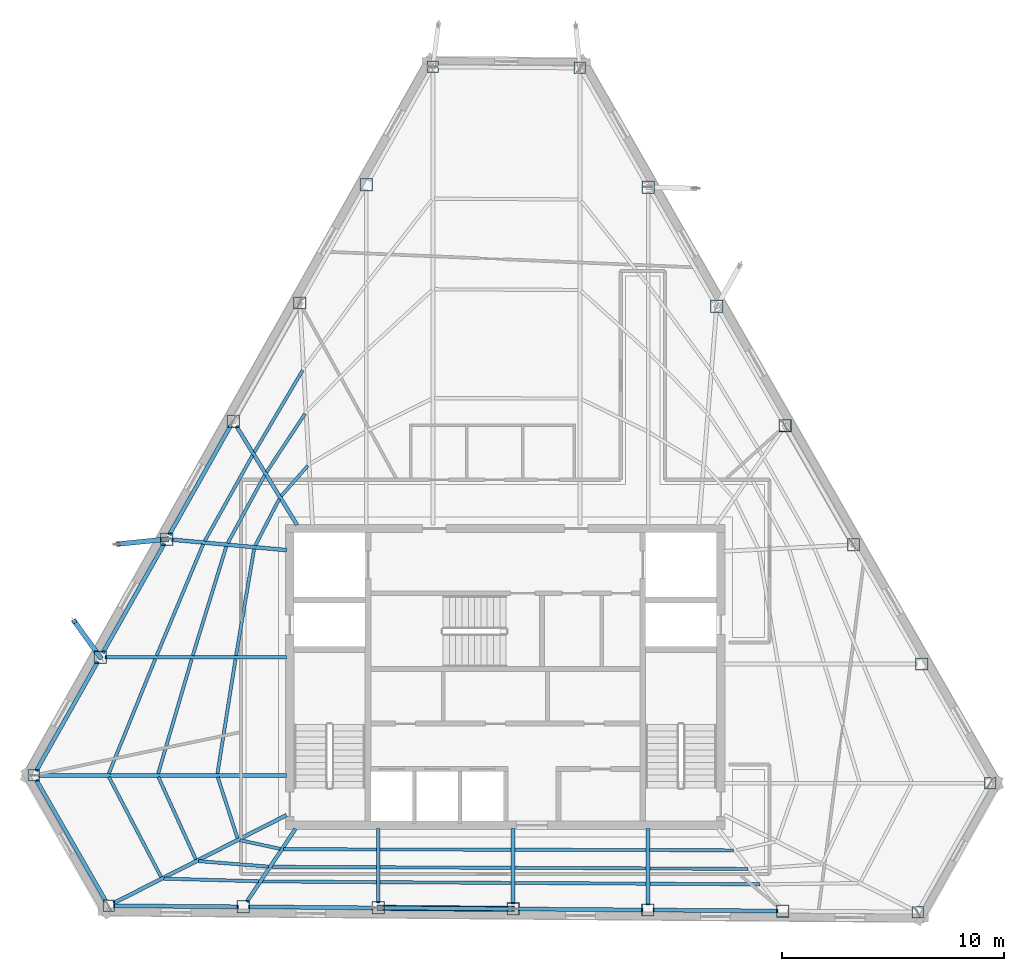
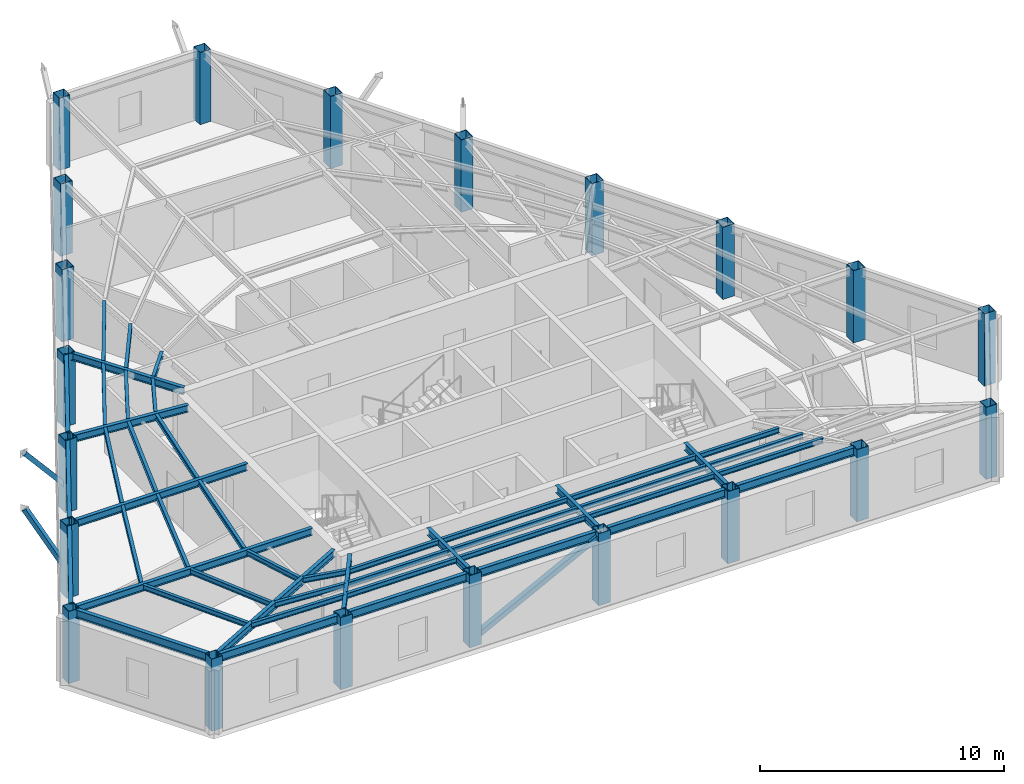
# One storey, part 1 of 10: 48 beams, 21 columns, 3 members.
"""IFC4 building model written with IfcOpenShell, lengths in metres."""

from ifc_helpers import new_model, si_unit, direction, frame, origin, origin_2d, place, context, subcontext, project, spatial, hollow_rectangle, i_section, extrude, material, material_profile, profile_set, type_object, element, save


model = new_model("IFC4")

# Units and contexts
model_context = context("Model", 3, precision=1e-05, world=origin(), true_north=direction((0.0, 1.0)))
body_context = subcontext(model_context, "Body", "Model", "MODEL_VIEW")
ifc_project = project(units=[si_unit("LENGTHUNIT", "METRE"), si_unit("AREAUNIT", "SQUARE_METRE"), si_unit("VOLUMEUNIT", "CUBIC_METRE"), si_unit("PLANEANGLEUNIT", "RADIAN"), si_unit("MASSUNIT", "GRAM", prefix="KILO")], contexts=[model_context])

# Site, building, storey
site_placement = place(None, origin())
site = spatial("IfcSite", under=ifc_project, at=site_placement, CompositionType="ELEMENT")
building_placement = place(site_placement, origin())
building = spatial("IfcBuilding", under=site, at=building_placement, Name="Kavelnor Concourse Tower", CompositionType="ELEMENT")
storey_placement = place(building_placement, frame((0.0, 0.0, 243.35009765625)))
storey = spatial("IfcBuildingStorey", under=building, at=storey_placement, Name="L61", CompositionType="ELEMENT", Elevation=243.35009765625)

# Columns
ifc_material = material(Name="Steel Grade 350", Category="steel")
ifc_material_profile_1 = material_profile(ifc_material, hollow_rectangle(XDim=0.52001953125, YDim=0.52001953125, WallThickness=0.02392578125, at=origin_2d()), Name="SHS 520x520x24")
ifc_profile_set_1 = profile_set([ifc_material_profile_1], Name="Steel Grade 350")
column_type_1 = type_object("IfcColumnType", Name="COL-FOLD-Z4", PredefinedType="COLUMN", material=ifc_profile_set_1)
for number, where, z_axis, x_axis, name in (
    (1, (34.733154296875, 43.601806640625, 0.0), (0.0, 0.0, 1.0), (1.0, 0.0, 0.0), "L61 Perimeter Corner-Fold Column F0-B0"),
    (2, (16.741943359375, 11.658935546875, 0.0), (0.0, 0.0, 1.0), (1.0, 0.0, 0.0), "L61 Perimeter Corner-Fold Column F0-B6"),
    (3, (20.113037109375, 5.781982421875, 0.0), (0.0, 0.0, 1.0), (1.0, 0.0, 0.0), "L61 Perimeter Corner-Fold Column F1-B0"),
    (4, (56.585205078125, 5.49609375, 0.0), (0.0, 0.0, 1.0), (1.0, 0.0, 0.0), "L61 Perimeter Corner-Fold Column F1-B6"),
    (5, (59.8583984375, 11.307861328125, 0.0), (0.0, 0.0, 1.0), (1.0, 0.0, 0.0), "L61 Perimeter Corner-Fold Column F2-B0"),
    (6, (41.364501953125, 43.5498046875, 0.0), (0.0, 0.0, 1.0), (1.0, 0.0, 0.0), "L61 Perimeter Corner-Fold Column F2-B6"),
):
    element("IfcColumn", number, at=place(storey_placement, frame(where, z_axis=z_axis, x_axis=x_axis)), inside=storey, type_object=column_type_1, Name=name, PredefinedType="COLUMN", context=body_context, shape_type="SweptSolid", body=[
        extrude(hollow_rectangle(XDim=0.52001953125, YDim=0.52001953125, WallThickness=0.02392578125, at=origin_2d()), origin(), (0.0, 0.0, 1.0), 3.60986328125),
    ])
ifc_material_profile_2 = material_profile(ifc_material, hollow_rectangle(XDim=0.56005859375, YDim=0.56005859375, WallThickness=0.02490234375, at=origin_2d()), Name="SHS 560x560x25")
ifc_profile_set_2 = profile_set([ifc_material_profile_2], Name="Steel Grade 350")
column_type_2 = type_object("IfcColumnType", Name="COL-TUBE-Z4", PredefinedType="COLUMN", material=ifc_profile_set_2)
for number, where, z_axis, x_axis, name in (
    (7, (31.734619140625, 38.278076171875, 0.0), (0.0, 0.0, 1.0), (1.0, 0.0, 0.0), "L61 Perimeter Framed-Tube Column F0-B1"),
    (8, (28.736083984375, 32.9541015625, 0.0), (0.0, 0.0, 1.0), (1.0, 0.0, 0.0), "L61 Perimeter Framed-Tube Column F0-B2"),
    (9, (25.737548828125, 27.63037109375, 0.0), (0.0, 0.0, 1.0), (1.0, 0.0, 0.0), "L61 Perimeter Framed-Tube Column F0-B3"),
    (10, (22.739013671875, 22.306396484375, 0.0), (0.0, 0.0, 1.0), (1.0, 0.0, 0.0), "L61 Perimeter Framed-Tube Column F0-B4"),
    (11, (19.740478515625, 16.982666015625, 0.0), (0.0, 0.0, 1.0), (1.0, 0.0, 0.0), "L61 Perimeter Framed-Tube Column F0-B5"),
    (12, (26.191650390625, 5.734375, 0.0), (0.0, 0.0, 1.0), (1.0, 0.0, 0.0), "L61 Perimeter Framed-Tube Column F1-B1"),
    (13, (32.2705078125, 5.686767578125, 0.0), (0.0, 0.0, 1.0), (1.0, 0.0, 0.0), "L61 Perimeter Framed-Tube Column F1-B2"),
    (14, (38.34912109375, 5.638916015625, 0.0), (0.0, 0.0, 1.0), (1.0, 0.0, 0.0), "L61 Perimeter Framed-Tube Column F1-B3"),
    (15, (44.427734375, 5.59130859375, 0.0), (0.0, 0.0, 1.0), (1.0, 0.0, 0.0), "L61 Perimeter Framed-Tube Column F1-B4"),
    (16, (50.506591796875, 5.543701171875, 0.0), (0.0, 0.0, 1.0), (1.0, 0.0, 0.0), "L61 Perimeter Framed-Tube Column F1-B5"),
    (17, (56.776123046875, 16.681396484375, 0.0), (0.0, 0.0, 1.0), (1.0, 0.0, 0.0), "L61 Perimeter Framed-Tube Column F2-B1"),
    (18, (53.69384765625, 22.05517578125, 0.0), (0.0, 0.0, 1.0), (1.0, 0.0, 0.0), "L61 Perimeter Framed-Tube Column F2-B2"),
    (19, (50.611572265625, 27.428955078125, 0.0), (0.0, 0.0, 1.0), (1.0, 0.0, 0.0), "L61 Perimeter Framed-Tube Column F2-B3"),
    (20, (47.529296875, 32.802490234375, 0.0), (0.0, 0.0, 1.0), (1.0, 0.0, 0.0), "L61 Perimeter Framed-Tube Column F2-B4"),
    (21, (44.44677734375, 38.17626953125, 0.0), (0.0, 0.0, 1.0), (1.0, 0.0, 0.0), "L61 Perimeter Framed-Tube Column F2-B5"),
):
    element("IfcColumn", number, at=place(storey_placement, frame(where, z_axis=z_axis, x_axis=x_axis)), inside=storey, type_object=column_type_2, Name=name, PredefinedType="COLUMN", context=body_context, shape_type="SweptSolid", body=[
        extrude(hollow_rectangle(XDim=0.56005859375, YDim=0.56005859375, WallThickness=0.02490234375, at=origin_2d()), origin(), (0.0, 0.0, 1.0), 3.60986328125),
    ])

# Beams
ifc_material_profile_3 = material_profile(ifc_material, i_section(OverallWidth=0.14599609375, OverallDepth=0.256103515625, WebThickness=0.00634765625, FlangeThickness=0.010986328125, at=origin_2d()), Name="250UB37")
ifc_profile_set_3 = profile_set([ifc_material_profile_3], Name="Steel Grade 350")
beam_type_1 = type_object("IfcBeamType", Name="BM-JOIST-250", PredefinedType="JOIST", material=ifc_profile_set_3)
beam_1_placement = place(storey_placement, frame((25.035400390625, 11.580810546875, 3.48193359375), z_axis=(0.30853569687, -0.951212764715, 0.0), x_axis=(0.951212764715, 0.30853569687, 0.0)))
element("IfcBeam", 22, at=beam_1_placement, inside=storey, type_object=beam_type_1, Name="L61 Secondary Composite Joist 01-1", PredefinedType="JOIST", context=body_context, shape_type="SweptSolid", body=[
    extrude(i_section(OverallWidth=0.14599609375, OverallDepth=0.256103515625, WebThickness=0.00634765625, FlangeThickness=0.010986328125, at=origin_2d()), origin(), (0.0, 0.0, 1.0), 2.888916015625),
])
beam_2_placement = place(storey_placement, frame((22.361328125, 11.584228515625, 3.48193359375), z_axis=(0.413816493997, -0.910360318388, 0.0), x_axis=(0.910360318388, 0.413816493997, 0.0)))
element("IfcBeam", 23, at=beam_2_placement, inside=storey, type_object=beam_type_1, Name="L61 Secondary Composite Joist 01-2", PredefinedType="JOIST", context=body_context, shape_type="SweptSolid", body=[
    extrude(i_section(OverallWidth=0.14599609375, OverallDepth=0.256103515625, WebThickness=0.00634765625, FlangeThickness=0.010986328125, at=origin_2d()), origin(), (0.0, 0.0, 1.0), 4.072509765625),
])
beam_3_placement = place(storey_placement, frame((20.1298828125, 11.586181640625, 3.48193359375), z_axis=(0.462917241941, -0.886401504463, 0.0), x_axis=(0.886401504463, 0.462917241941, 0.0)))
element("IfcBeam", 24, at=beam_3_placement, inside=storey, type_object=beam_type_1, Name="L61 Secondary Composite Joist 01-3", PredefinedType="JOIST", context=body_context, shape_type="SweptSolid", body=[
    extrude(i_section(OverallWidth=0.14599609375, OverallDepth=0.256103515625, WebThickness=0.00634765625, FlangeThickness=0.010986328125, at=origin_2d()), origin(), (0.0, 0.0, 1.0), 5.0830078125),
])
beam_4_placement = place(storey_placement, frame((26.0322265625, 8.737548828125, 3.48193359375), z_axis=(0.977848539177, -0.209313722508, 0.0), x_axis=(0.209313722508, 0.977848539177, 0.0)))
element("IfcBeam", 25, at=beam_4_placement, inside=storey, type_object=beam_type_1, Name="L61 Secondary Composite Joist 02-1", PredefinedType="JOIST", context=body_context, shape_type="SweptSolid", body=[
    extrude(i_section(OverallWidth=0.14599609375, OverallDepth=0.256103515625, WebThickness=0.00634765625, FlangeThickness=0.010986328125, at=origin_2d()), origin(), (0.0, 0.0, 1.0), 1.858154296875),
])
beam_5_placement = place(storey_placement, frame((24.162353515625, 7.79541015625, 3.48193359375), z_axis=(0.996932600077, -0.078264876563, 0.0), x_axis=(0.078264876563, 0.996932600077, 0.0)))
element("IfcBeam", 26, at=beam_5_placement, inside=storey, type_object=beam_type_1, Name="L61 Secondary Composite Joist 02-2", PredefinedType="JOIST", context=body_context, shape_type="SweptSolid", body=[
    extrude(i_section(OverallWidth=0.14599609375, OverallDepth=0.256103515625, WebThickness=0.00634765625, FlangeThickness=0.010986328125, at=origin_2d()), origin(), (0.0, 0.0, 1.0), 3.166259765625),
])
beam_6_placement = place(storey_placement, frame((22.602783203125, 7.005615234375, 3.48193359375), z_axis=(0.999603964341, -0.028140975013, 0.0), x_axis=(0.028140975013, 0.999603964341, 0.0)))
element("IfcBeam", 27, at=beam_6_placement, inside=storey, type_object=beam_type_1, Name="L61 Secondary Composite Joist 02-3", PredefinedType="JOIST", context=body_context, shape_type="SweptSolid", body=[
    extrude(i_section(OverallWidth=0.14599609375, OverallDepth=0.256103515625, WebThickness=0.00634765625, FlangeThickness=0.010986328125, at=origin_2d()), origin(), (0.0, 0.0, 1.0), 4.277099609375),
])
beam_7_placement = place(storey_placement, frame((28.01123046875, 8.331298828125, 3.48193359375), z_axis=(0.999997128983, -0.002396252618, 0.0), x_axis=(0.002396252618, 0.999997128983, 0.0)))
element("IfcBeam", 28, at=beam_7_placement, inside=storey, type_object=beam_type_1, Name="L61 Secondary Composite Joist 03-1", PredefinedType="JOIST", context=body_context, shape_type="SweptSolid", body=[
    extrude(i_section(OverallWidth=0.14599609375, OverallDepth=0.256103515625, WebThickness=0.00634765625, FlangeThickness=0.010986328125, at=origin_2d()), origin(), (0.0, 0.0, 1.0), 4.17724609375),
])
beam_8_placement = place(storey_placement, frame((27.482666015625, 7.541015625, 3.48193359375), z_axis=(0.99998654225, -0.005187997625, 0.0), x_axis=(0.005187997625, 0.99998654225, 0.0)))
element("IfcBeam", 29, at=beam_8_placement, inside=storey, type_object=beam_type_1, Name="L61 Secondary Composite Joist 03-2", PredefinedType="JOIST", context=body_context, shape_type="SweptSolid", body=[
    extrude(i_section(OverallWidth=0.14599609375, OverallDepth=0.256103515625, WebThickness=0.00634765625, FlangeThickness=0.010986328125, at=origin_2d()), origin(), (0.0, 0.0, 1.0), 4.705810546875),
])
beam_9_placement = place(storey_placement, frame((27.0419921875, 6.88232421875, 3.48193359375), z_axis=(0.999975354583, -0.007020699833, 0.0), x_axis=(0.007020699833, 0.999975354583, 0.0)))
element("IfcBeam", 30, at=beam_9_placement, inside=storey, type_object=beam_type_1, Name="L61 Secondary Composite Joist 03-3", PredefinedType="JOIST", context=body_context, shape_type="SweptSolid", body=[
    extrude(i_section(OverallWidth=0.14599609375, OverallDepth=0.256103515625, WebThickness=0.00634765625, FlangeThickness=0.010986328125, at=origin_2d()), origin(), (0.0, 0.0, 1.0), 5.146728515625),
])
for number, where, z_axis, x_axis, name in (
    (31, (32.352294921875, 8.32080078125, 3.48193359375), (0.99999760712, -0.002187636652, 0.0), (0.002187636652, 0.99999760712, 0.0), "L61 Secondary Composite Joist 04-1"),
    (32, (32.352294921875, 7.515869140625, 3.48193359375), (0.999991650977, -0.004086315823, 0.0), (0.004086315823, 0.999991650977, 0.0), "L61 Secondary Composite Joist 04-2"),
    (33, (32.352294921875, 6.84521484375, 3.48193359375), (0.999984011731, -0.005654757486, 0.0), (0.005654757486, 0.999984011731, 0.0), "L61 Secondary Composite Joist 04-3"),
):
    element("IfcBeam", number, at=place(storey_placement, frame(where, z_axis=z_axis, x_axis=x_axis)), inside=storey, type_object=beam_type_1, Name=name, PredefinedType="JOIST", context=body_context, shape_type="SweptSolid", body=[
        extrude(i_section(OverallWidth=0.14599609375, OverallDepth=0.256103515625, WebThickness=0.00634765625, FlangeThickness=0.010986328125, at=origin_2d()), origin(), (0.0, 0.0, 1.0), 5.914794921875),
    ])
for number, where, z_axis, x_axis, name in (
    (34, (38.43115234375, 8.3076171875, 3.48193359375), (0.999997515766, -0.002229004617, 0.0), (0.002229004617, 0.999997515766, 0.0), "L61 Secondary Composite Joist 05-1"),
    (35, (38.43115234375, 7.4912109375, 3.48193359375), (0.999991650287, -0.004086484495, 0.0), (0.004086484495, 0.999991650287, 0.0), "L61 Secondary Composite Joist 05-2"),
    (36, (38.43115234375, 6.810791015625, 3.48193359375), (0.999984010411, -0.005654990895, 0.0), (0.005654990895, 0.999984010411, 0.0), "L61 Secondary Composite Joist 05-3"),
):
    element("IfcBeam", number, at=place(storey_placement, frame(where, z_axis=z_axis, x_axis=x_axis)), inside=storey, type_object=beam_type_1, Name=name, PredefinedType="JOIST", context=body_context, shape_type="SweptSolid", body=[
        extrude(i_section(OverallWidth=0.14599609375, OverallDepth=0.256103515625, WebThickness=0.00634765625, FlangeThickness=0.010986328125, at=origin_2d()), origin(), (0.0, 0.0, 1.0), 5.91455078125),
    ])
beam_10_placement = place(storey_placement, frame((44.509765625, 8.2939453125, 3.48193359375), z_axis=(0.999990593562, -0.004337370996, 0.0), x_axis=(0.004337370996, 0.999990593562, 0.0)))
element("IfcBeam", 37, at=beam_10_placement, inside=storey, type_object=beam_type_1, Name="L61 Secondary Composite Joist 06-1", PredefinedType="JOIST", context=body_context, shape_type="SweptSolid", body=[
    extrude(i_section(OverallWidth=0.14599609375, OverallDepth=0.256103515625, WebThickness=0.00634765625, FlangeThickness=0.010986328125, at=origin_2d()), origin(), (0.0, 0.0, 1.0), 3.771240234375),
])
beam_11_placement = place(storey_placement, frame((44.509765625, 7.46630859375, 3.48193359375), z_axis=(0.99998568615, -0.005350466741, 0.0), x_axis=(0.005350466741, 0.99998568615, 0.0)))
element("IfcBeam", 38, at=beam_11_placement, inside=storey, type_object=beam_type_1, Name="L61 Secondary Composite Joist 06-2", PredefinedType="JOIST", context=body_context, shape_type="SweptSolid", body=[
    extrude(i_section(OverallWidth=0.14599609375, OverallDepth=0.256103515625, WebThickness=0.00634765625, FlangeThickness=0.010986328125, at=origin_2d()), origin(), (0.0, 0.0, 1.0), 4.426025390625),
])
beam_12_placement = place(storey_placement, frame((44.509765625, 6.7763671875, 3.48193359375), z_axis=(0.999982347628, -0.005941753293, 0.0), x_axis=(0.005941753293, 0.999982347628, 0.0)))
element("IfcBeam", 39, at=beam_12_placement, inside=storey, type_object=beam_type_1, Name="L61 Secondary Composite Joist 06-3", PredefinedType="JOIST", context=body_context, shape_type="SweptSolid", body=[
    extrude(i_section(OverallWidth=0.14599609375, OverallDepth=0.256103515625, WebThickness=0.00634765625, FlangeThickness=0.010986328125, at=origin_2d()), origin(), (0.0, 0.0, 1.0), 4.9716796875),
])
beam_13_placement = place(storey_placement, frame((29.09814453125, 25.620849609375, 3.48193359375), z_axis=(-0.659028254799, -0.752118181788, 0.0), x_axis=(0.752118181788, -0.659028254799, 0.0)))
element("IfcBeam", 40, at=beam_13_placement, inside=storey, type_object=beam_type_1, Name="L61 Secondary Composite Joist 18-1", PredefinedType="JOIST", context=body_context, shape_type="SweptSolid", body=[
    extrude(i_section(OverallWidth=0.14599609375, OverallDepth=0.256103515625, WebThickness=0.00634765625, FlangeThickness=0.010986328125, at=origin_2d()), origin(), (0.0, 0.0, 1.0), 1.81494140625),
])
beam_14_placement = place(storey_placement, frame((28.972412109375, 27.964599609375, 3.48193359375), z_axis=(-0.550691177057, -0.834709067587, 0.0), x_axis=(0.834709067587, -0.550691177057, 0.0)))
element("IfcBeam", 41, at=beam_14_placement, inside=storey, type_object=beam_type_1, Name="L61 Secondary Composite Joist 18-2", PredefinedType="JOIST", context=body_context, shape_type="SweptSolid", body=[
    extrude(i_section(OverallWidth=0.14599609375, OverallDepth=0.256103515625, WebThickness=0.00634765625, FlangeThickness=0.010986328125, at=origin_2d()), origin(), (0.0, 0.0, 1.0), 3.153076171875),
])
beam_15_placement = place(storey_placement, frame((28.864013671875, 29.921142578125, 3.48193359375), z_axis=(-0.508044573749, -0.861330779134, 0.0), x_axis=(0.861330779134, -0.508044573749, 0.0)))
element("IfcBeam", 42, at=beam_15_placement, inside=storey, type_object=beam_type_1, Name="L61 Secondary Composite Joist 18-3", PredefinedType="JOIST", context=body_context, shape_type="SweptSolid", body=[
    extrude(i_section(OverallWidth=0.14599609375, OverallDepth=0.256103515625, WebThickness=0.00634765625, FlangeThickness=0.010986328125, at=origin_2d()), origin(), (0.0, 0.0, 1.0), 4.289306640625),
])
beam_16_placement = place(storey_placement, frame((27.810546875, 24.121337890625, 3.48193359375), z_axis=(-0.458161729822, -0.888868848215, 0.0), x_axis=(0.888868848215, -0.458161729822, 0.0)))
element("IfcBeam", 43, at=beam_16_placement, inside=storey, type_object=beam_type_1, Name="L61 Secondary Composite Joist 19-1", PredefinedType="JOIST", context=body_context, shape_type="SweptSolid", body=[
    extrude(i_section(OverallWidth=0.14599609375, OverallDepth=0.256103515625, WebThickness=0.00634765625, FlangeThickness=0.010986328125, at=origin_2d()), origin(), (0.0, 0.0, 1.0), 2.365478515625),
])
beam_17_placement = place(storey_placement, frame((27.151611328125, 25.1923828125, 3.48193359375), z_axis=(-0.478155058317, -0.878275435274, 0.0), x_axis=(0.878275435274, -0.478155058317, 0.0)))
element("IfcBeam", 44, at=beam_17_placement, inside=storey, type_object=beam_type_1, Name="L61 Secondary Composite Joist 19-2", PredefinedType="JOIST", context=body_context, shape_type="SweptSolid", body=[
    extrude(i_section(OverallWidth=0.14599609375, OverallDepth=0.256103515625, WebThickness=0.00634765625, FlangeThickness=0.010986328125, at=origin_2d()), origin(), (0.0, 0.0, 1.0), 3.4853515625),
])
beam_18_placement = place(storey_placement, frame((26.603271484375, 26.08447265625, 3.48193359375), z_axis=(-0.487325994252, -0.873220118484, 0.0), x_axis=(0.873220118484, -0.487325994252, 0.0)))
element("IfcBeam", 45, at=beam_18_placement, inside=storey, type_object=beam_type_1, Name="L61 Secondary Composite Joist 19-3", PredefinedType="JOIST", context=body_context, shape_type="SweptSolid", body=[
    extrude(i_section(OverallWidth=0.14599609375, OverallDepth=0.256103515625, WebThickness=0.00634765625, FlangeThickness=0.010986328125, at=origin_2d()), origin(), (0.0, 0.0, 1.0), 4.419189453125),
])
beam_19_placement = place(storey_placement, frame((26.675537109375, 21.864990234375, 3.48193359375), z_axis=(-0.166805063405, -0.985989893874, 0.0), x_axis=(0.985989893874, -0.166805063405, 0.0)))
element("IfcBeam", 46, at=beam_19_placement, inside=storey, type_object=beam_type_1, Name="L61 Secondary Composite Joist 20-1", PredefinedType="JOIST", context=body_context, shape_type="SweptSolid", body=[
    extrude(i_section(OverallWidth=0.14599609375, OverallDepth=0.256103515625, WebThickness=0.00634765625, FlangeThickness=0.010986328125, at=origin_2d()), origin(), (0.0, 0.0, 1.0), 4.869384765625),
])
beam_20_placement = place(storey_placement, frame((25.421875, 21.98095703125, 3.48193359375), z_axis=(-0.293625818517, -0.95592043534, 0.0), x_axis=(0.95592043534, -0.293625818517, 0.0)))
element("IfcBeam", 47, at=beam_20_placement, inside=storey, type_object=beam_type_1, Name="L61 Secondary Composite Joist 20-2", PredefinedType="JOIST", context=body_context, shape_type="SweptSolid", body=[
    extrude(i_section(OverallWidth=0.14599609375, OverallDepth=0.256103515625, WebThickness=0.00634765625, FlangeThickness=0.010986328125, at=origin_2d()), origin(), (0.0, 0.0, 1.0), 5.146728515625),
])
beam_21_placement = place(storey_placement, frame((24.378173828125, 22.078369140625, 3.48193359375), z_axis=(-0.385246264395, -0.922813803413, 0.0), x_axis=(0.922813803413, -0.385246264395, 0.0)))
element("IfcBeam", 48, at=beam_21_placement, inside=storey, type_object=beam_type_1, Name="L61 Secondary Composite Joist 20-3", PredefinedType="JOIST", context=body_context, shape_type="SweptSolid", body=[
    extrude(i_section(OverallWidth=0.14599609375, OverallDepth=0.256103515625, WebThickness=0.00634765625, FlangeThickness=0.010986328125, at=origin_2d()), origin(), (0.0, 0.0, 1.0), 5.43994140625),
])
beam_22_placement = place(storey_placement, frame((25.8369140625, 16.901611328125, 3.48193359375), z_axis=(-0.155770632137, -0.987793252742, 0.0), x_axis=(0.987793252742, -0.155770632137, 0.0)))
element("IfcBeam", 49, at=beam_22_placement, inside=storey, type_object=beam_type_1, Name="L61 Secondary Composite Joist 21-1", PredefinedType="JOIST", context=body_context, shape_type="SweptSolid", body=[
    extrude(i_section(OverallWidth=0.14599609375, OverallDepth=0.256103515625, WebThickness=0.00634765625, FlangeThickness=0.010986328125, at=origin_2d()), origin(), (0.0, 0.0, 1.0), 5.225341796875),
])
beam_23_placement = place(storey_placement, frame((23.863525390625, 16.904052734375, 3.48193359375), z_axis=(-0.281034253933, -0.959697737893, 0.0), x_axis=(0.959697737893, -0.281034253933, 0.0)))
element("IfcBeam", 50, at=beam_23_placement, inside=storey, type_object=beam_type_1, Name="L61 Secondary Composite Joist 21-2", PredefinedType="JOIST", context=body_context, shape_type="SweptSolid", body=[
    extrude(i_section(OverallWidth=0.14599609375, OverallDepth=0.256103515625, WebThickness=0.00634765625, FlangeThickness=0.010986328125, at=origin_2d()), origin(), (0.0, 0.0, 1.0), 5.383544921875),
])
beam_24_placement = place(storey_placement, frame((22.219970703125, 16.90673828125, 3.48193359375), z_axis=(-0.375776187654, -0.926710449273, 0.0), x_axis=(0.926710449273, -0.375776187654, 0.0)))
element("IfcBeam", 51, at=beam_24_placement, inside=storey, type_object=beam_type_1, Name="L61 Secondary Composite Joist 21-3", PredefinedType="JOIST", context=body_context, shape_type="SweptSolid", body=[
    extrude(i_section(OverallWidth=0.14599609375, OverallDepth=0.256103515625, WebThickness=0.00634765625, FlangeThickness=0.010986328125, at=origin_2d()), origin(), (0.0, 0.0, 1.0), 5.580810546875),
])
ifc_material_profile_4 = material_profile(ifc_material, i_section(OverallWidth=0.172119140625, OverallDepth=0.35888671875, WebThickness=0.008056640625, FlangeThickness=0.012939453125, at=origin_2d()), Name="360UB56")
ifc_profile_set_4 = profile_set([ifc_material_profile_4], Name="Steel Grade 350")
beam_type_2 = type_object("IfcBeamType", Name="BM-PRIMARY-360", PredefinedType="BEAM", material=ifc_profile_set_4)
beam_25_placement = place(storey_placement, frame((28.61474609375, 22.94580078125, 3.430419921875), z_axis=(-0.523347445711, 0.852119387802, 0.0), x_axis=(-0.852119387802, -0.523347445711, 0.0)))
element("IfcBeam", 52, at=beam_25_placement, inside=storey, type_object=beam_type_2, Name="L61 Primary Floor Girder F0-B3", PredefinedType="BEAM", context=body_context, shape_type="SweptSolid", body=[
    extrude(i_section(OverallWidth=0.172119140625, OverallDepth=0.35888671875, WebThickness=0.008056640625, FlangeThickness=0.012939453125, at=origin_2d()), origin(), (0.0, 0.0, 1.0), 5.232177734375),
])
beam_26_placement = place(storey_placement, frame((28.139892578125, 21.813232421875, 3.430419921875), z_axis=(-0.995855422235, 0.090950415094, 0.0), x_axis=(-0.090950415094, -0.995855422235, 0.0)))
element("IfcBeam", 53, at=beam_26_placement, inside=storey, type_object=beam_type_2, Name="L61 Primary Floor Girder F0-B4", PredefinedType="BEAM", context=body_context, shape_type="SweptSolid", body=[
    extrude(i_section(OverallWidth=0.172119140625, OverallDepth=0.35888671875, WebThickness=0.008056640625, FlangeThickness=0.012939453125, at=origin_2d()), origin(), (0.0, 0.0, 1.0), 5.2021484375),
])
beam_27_placement = place(storey_placement, frame((28.139892578125, 16.982666015625, 3.430419921875), z_axis=(-1.0, 0.0, 0.0), x_axis=(0.0, -1.0, 0.0)))
element("IfcBeam", 54, at=beam_27_placement, inside=storey, type_object=beam_type_2, Name="L61 Primary Floor Girder F0-B5", PredefinedType="BEAM", context=body_context, shape_type="SweptSolid", body=[
    extrude(i_section(OverallWidth=0.172119140625, OverallDepth=0.35888671875, WebThickness=0.008056640625, FlangeThickness=0.012939453125, at=origin_2d()), origin(), (0.0, 0.0, 1.0), 8.179443359375),
])
beam_28_placement = place(storey_placement, frame((28.139892578125, 11.658935546875, 3.430419921875), z_axis=(-1.0, 0.0, 0.0), x_axis=(0.0, -1.0, 0.0)))
element("IfcBeam", 55, at=beam_28_placement, inside=storey, type_object=beam_type_2, Name="L61 Primary Floor Girder F0-B6", PredefinedType="BEAM", context=body_context, shape_type="SweptSolid", body=[
    extrude(i_section(OverallWidth=0.172119140625, OverallDepth=0.35888671875, WebThickness=0.008056640625, FlangeThickness=0.012939453125, at=origin_2d()), origin(), (0.0, 0.0, 1.0), 11.177978515625),
])
beam_29_placement = place(storey_placement, frame((28.135498046875, 9.866455078125, 3.430419921875), z_axis=(-0.891150399523, -0.453708017815, 0.0), x_axis=(0.453708017815, -0.891150399523, 0.0)))
element("IfcBeam", 56, at=beam_29_placement, inside=storey, type_object=beam_type_2, Name="L61 Primary Floor Girder F1-B0", PredefinedType="BEAM", context=body_context, shape_type="SweptSolid", body=[
    extrude(i_section(OverallWidth=0.172119140625, OverallDepth=0.35888671875, WebThickness=0.008056640625, FlangeThickness=0.012939453125, at=origin_2d()), origin(), (0.0, 0.0, 1.0), 8.75048828125),
])
beam_30_placement = place(storey_placement, frame((28.5458984375, 9.253173828125, 3.430419921875), z_axis=(-0.556050794263, -0.831148310592, 0.0), x_axis=(0.831148310592, -0.556050794263, 0.0)))
element("IfcBeam", 57, at=beam_30_placement, inside=storey, type_object=beam_type_2, Name="L61 Primary Floor Girder F1-B1", PredefinedType="BEAM", context=body_context, shape_type="SweptSolid", body=[
    extrude(i_section(OverallWidth=0.172119140625, OverallDepth=0.35888671875, WebThickness=0.008056640625, FlangeThickness=0.012939453125, at=origin_2d()), origin(), (0.0, 0.0, 1.0), 3.960693359375),
])
beam_31_placement = place(storey_placement, frame((32.2705078125, 9.260009765625, 3.430419921875), z_axis=(0.0, -1.0, 0.0), x_axis=(1.0, 0.0, 0.0)))
element("IfcBeam", 58, at=beam_31_placement, inside=storey, type_object=beam_type_2, Name="L61 Primary Floor Girder F1-B2", PredefinedType="BEAM", context=body_context, shape_type="SweptSolid", body=[
    extrude(i_section(OverallWidth=0.172119140625, OverallDepth=0.35888671875, WebThickness=0.008056640625, FlangeThickness=0.012939453125, at=origin_2d()), origin(), (0.0, 0.0, 1.0), 3.353271484375),
])
beam_32_placement = place(storey_placement, frame((38.34912109375, 9.260009765625, 3.430419921875), z_axis=(0.0, -1.0, 0.0), x_axis=(1.0, 0.0, 0.0)))
element("IfcBeam", 59, at=beam_32_placement, inside=storey, type_object=beam_type_2, Name="L61 Primary Floor Girder F1-B3", PredefinedType="BEAM", context=body_context, shape_type="SweptSolid", body=[
    extrude(i_section(OverallWidth=0.172119140625, OverallDepth=0.35888671875, WebThickness=0.008056640625, FlangeThickness=0.012939453125, at=origin_2d()), origin(), (0.0, 0.0, 1.0), 3.401123046875),
])
beam_33_placement = place(storey_placement, frame((44.427734375, 9.260009765625, 3.430419921875), z_axis=(0.0, -1.0, 0.0), x_axis=(1.0, 0.0, 0.0)))
element("IfcBeam", 60, at=beam_33_placement, inside=storey, type_object=beam_type_2, Name="L61 Primary Floor Girder F1-B4", PredefinedType="BEAM", context=body_context, shape_type="SweptSolid", body=[
    extrude(i_section(OverallWidth=0.172119140625, OverallDepth=0.35888671875, WebThickness=0.008056640625, FlangeThickness=0.012939453125, at=origin_2d()), origin(), (0.0, 0.0, 1.0), 3.44873046875),
])
ifc_material_profile_5 = material_profile(ifc_material, i_section(OverallWidth=0.177978515625, OverallDepth=0.406005859375, WebThickness=0.0078125, FlangeThickness=0.0126953125, at=origin_2d()), Name="410UB59")
ifc_profile_set_5 = profile_set([ifc_material_profile_5], Name="Steel Grade 350")
beam_type_3 = type_object("IfcBeamType", Name="BM-SPANDREL-Z4", PredefinedType="SPANDREL", material=ifc_profile_set_5)
beam_34_placement = place(storey_placement, frame((25.627197265625, 27.434326171875, 3.406982421875), z_axis=(-0.49071783871, -0.871318542654, 0.0), x_axis=(0.871318542654, -0.49071783871, 0.0)))
element("IfcBeam", 61, at=beam_34_placement, inside=storey, type_object=beam_type_3, Name="L61 Perimeter Tube Spandrel Beam F0-B3", PredefinedType="SPANDREL", context=body_context, shape_type="SweptSolid", body=[
    extrude(i_section(OverallWidth=0.177978515625, OverallDepth=0.406005859375, WebThickness=0.0078125, FlangeThickness=0.0126953125, at=origin_2d()), origin(), (0.0, 0.0, 1.0), 5.66015625),
])
beam_35_placement = place(storey_placement, frame((22.628662109375, 22.110595703125, 3.406982421875), z_axis=(-0.490750583651, -0.871300100222, 0.0), x_axis=(0.871300100222, -0.490750583651, 0.0)))
element("IfcBeam", 62, at=beam_35_placement, inside=storey, type_object=beam_type_3, Name="L61 Perimeter Tube Spandrel Beam F0-B4", PredefinedType="SPANDREL", context=body_context, shape_type="SweptSolid", body=[
    extrude(i_section(OverallWidth=0.177978515625, OverallDepth=0.406005859375, WebThickness=0.0078125, FlangeThickness=0.0126953125, at=origin_2d()), origin(), (0.0, 0.0, 1.0), 5.660400390625),
])
beam_36_placement = place(storey_placement, frame((19.630126953125, 16.78662109375, 3.406982421875), z_axis=(-0.49076902689, -0.871289712005, 0.0), x_axis=(0.871289712005, -0.49076902689, 0.0)))
element("IfcBeam", 63, at=beam_36_placement, inside=storey, type_object=beam_type_3, Name="L61 Perimeter Tube Spandrel Beam F0-B5", PredefinedType="SPANDREL", context=body_context, shape_type="SweptSolid", body=[
    extrude(i_section(OverallWidth=0.177978515625, OverallDepth=0.406005859375, WebThickness=0.0078125, FlangeThickness=0.0126953125, at=origin_2d()), origin(), (0.0, 0.0, 1.0), 5.66015625),
])
beam_37_placement = place(storey_placement, frame((20.337890625, 5.7802734375, 3.406982421875), z_axis=(0.999969186633, -0.007850209177, 0.0), x_axis=(0.007850209177, 0.999969186633, 0.0)))
element("IfcBeam", 64, at=beam_37_placement, inside=storey, type_object=beam_type_3, Name="L61 Perimeter Tube Spandrel Beam F1-B0", PredefinedType="SPANDREL", context=body_context, shape_type="SweptSolid", body=[
    extrude(i_section(OverallWidth=0.177978515625, OverallDepth=0.406005859375, WebThickness=0.0078125, FlangeThickness=0.0126953125, at=origin_2d()), origin(), (0.0, 0.0, 1.0), 5.629150390625),
])
for number, where, z_axis, x_axis, name in (
    (65, (26.416748046875, 5.732421875, 3.406982421875), (0.999969523513, -0.007807179104, 0.0), (0.007807179104, 0.999969523513, 0.0), "L61 Perimeter Tube Spandrel Beam F1-B1"),
    (66, (32.495361328125, 5.684814453125, 3.406982421875), (0.999969523513, -0.007807179104, 0.0), (0.007807179104, 0.999969523513, 0.0), "L61 Perimeter Tube Spandrel Beam F1-B2"),
    (67, (38.57421875, 5.63720703125, 3.406982421875), (0.99996918396, -0.007850549655, 0.0), (0.007850549655, 0.99996918396, 0.0), "L61 Perimeter Tube Spandrel Beam F1-B3"),
    (68, (44.65283203125, 5.589599609375, 3.406982421875), (0.99996918396, -0.007850549655, 0.0), (0.007850549655, 0.99996918396, 0.0), "L61 Perimeter Tube Spandrel Beam F1-B4"),
):
    element("IfcBeam", number, at=place(storey_placement, frame(where, z_axis=z_axis, x_axis=x_axis)), inside=storey, type_object=beam_type_3, Name=name, PredefinedType="SPANDREL", context=body_context, shape_type="SweptSolid", body=[
        extrude(i_section(OverallWidth=0.177978515625, OverallDepth=0.406005859375, WebThickness=0.0078125, FlangeThickness=0.0126953125, at=origin_2d()), origin(), (0.0, 0.0, 1.0), 5.62890625),
    ])
beam_38_placement = place(storey_placement, frame((16.85400390625, 11.463623046875, 3.406982421875), z_axis=(0.497559957957, -0.867429586905, 0.0), x_axis=(0.867429586905, 0.497559957957, 0.0)))
element("IfcBeam", 69, at=beam_38_placement, inside=storey, type_object=beam_type_3, Name="L61 Chamfer Facet Spandrel Beam C1", PredefinedType="SPANDREL", context=body_context, shape_type="SweptSolid", body=[
    extrude(i_section(OverallWidth=0.177978515625, OverallDepth=0.406005859375, WebThickness=0.0078125, FlangeThickness=0.0126953125, at=origin_2d()), origin(), (0.0, 0.0, 1.0), 6.32470703125),
])

# Members
ifc_material_profile_6 = material_profile(ifc_material, hollow_rectangle(XDim=0.219970703125, YDim=0.219970703125, WallThickness=0.013916015625, at=origin_2d()), Name="SHS 220x220x14")
ifc_profile_set_6 = profile_set([ifc_material_profile_6], Name="Steel Grade 350")
member_type_1 = type_object("IfcMemberType", Name="MBR-BALC-STRUT-220", PredefinedType="STRUT", material=ifc_profile_set_6)
member_1_placement = place(storey_placement, frame((22.739013671875, 22.306396484375, 1.0498046875), z_axis=(-0.64368915631, -0.063825718031, 0.762620841419), x_axis=(0.098672235073, -0.995119987753, 0.0)))
element("IfcMember", 70, at=member_1_placement, inside=storey, type_object=member_type_1, Name="L61 Tree Balcony Raking Knee Strut 2-A", PredefinedType="STRUT", context=body_context, shape_type="SweptSolid", body=[
    extrude(hollow_rectangle(XDim=0.219970703125, YDim=0.219970703125, WallThickness=0.013916015625, at=origin_2d()), origin(), (0.0, 0.0, 1.0), 3.415771484375),
])
member_2_placement = place(storey_placement, frame((19.740478515625, 16.982666015625, 1.0498046875), z_axis=(-0.355996492724, 0.494381768184, 0.793002625755), x_axis=(-0.811501945677, -0.584349717347, 0.0)))
element("IfcMember", 71, at=member_2_placement, inside=storey, type_object=member_type_1, Name="L61 Tree Balcony Raking Knee Strut 2-B", PredefinedType="STRUT", context=body_context, shape_type="SweptSolid", body=[
    extrude(hollow_rectangle(XDim=0.219970703125, YDim=0.219970703125, WallThickness=0.013916015625, at=origin_2d()), origin(), (0.0, 0.0, 1.0), 3.284912109375),
])
ifc_material_profile_7 = material_profile(ifc_material, hollow_rectangle(XDim=0.25, YDim=0.25, WallThickness=0.01611328125, at=origin_2d()), Name="SHS 250x250x16")
ifc_profile_set_7 = profile_set([ifc_material_profile_7], Name="Steel Grade 350")
member_type_2 = type_object("IfcMemberType", Name="MBR-TUBE-DIAG-Z4", PredefinedType="BRACE", material=ifc_profile_set_7)
member_3_placement = place(storey_placement, frame((32.2705078125, 5.686767578125, 0.219970703125), z_axis=(0.885631709588, -0.006971797537, 0.46433594413), x_axis=(0.007871874335, 0.999969016317, 0.0)))
element("IfcMember", 72, at=member_3_placement, inside=storey, type_object=member_type_2, Name="L61 Framed-Tube Bracing Diagonal F1-B2", PredefinedType="BRACE", context=body_context, shape_type="SweptSolid", body=[
    extrude(hollow_rectangle(XDim=0.25, YDim=0.25, WallThickness=0.01611328125, at=origin_2d()), origin(), (0.0, 0.0, 1.0), 6.863525390625),
])

save(model, "model.ifc")
